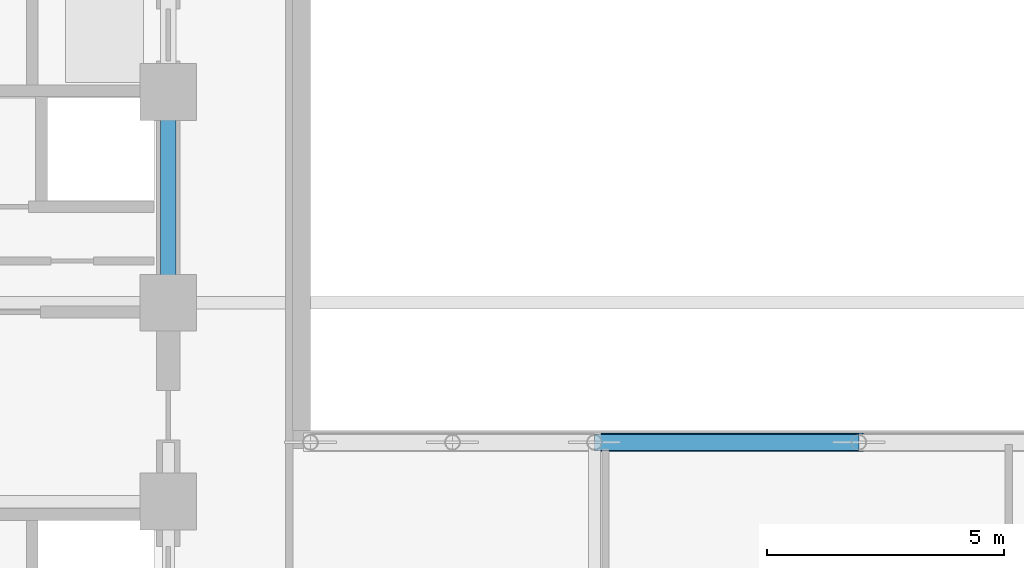
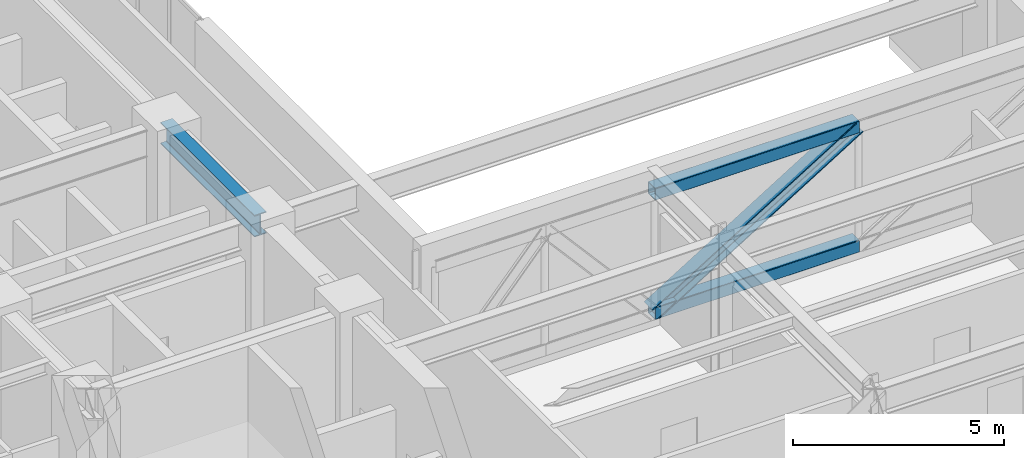
# One storey, part 4 of 18: 3 members, 1 beam.
"""IFC4 building model written with IfcOpenShell, lengths in metres."""

from ifc_helpers import new_model, entity, si_unit, converted_unit, direction, frame, origin_with_axes, origin_2d_with_axis, place, context, subcontext, project, spatial, hollow_rectangle, i_section, extrude, material, material_profile, profile_set, type_object, element, save


model = new_model("IFC4")

# Units and contexts
model_context = context("Model", 3, precision=1e-05, world=origin_with_axes(), true_north=direction((0.0, 1.0)))
body_context = subcontext(model_context, "Body", "Model", "MODEL_VIEW")
ifc_project = project(units=[si_unit("LENGTHUNIT", "METRE"), si_unit("AREAUNIT", "SQUARE_METRE"), si_unit("VOLUMEUNIT", "CUBIC_METRE"), converted_unit("PLANEANGLEUNIT", "DEGREE", entity("IfcPlaneAngleMeasure", 0.017453292519943295), si_unit("PLANEANGLEUNIT", "RADIAN"), dimensions=[0, 0, 0, 0, 0, 0, 0]), si_unit("MASSUNIT", "GRAM", prefix="KILO"), si_unit("THERMODYNAMICTEMPERATUREUNIT", "KELVIN")], contexts=[model_context])

# Site, building, storey
site_placement = place(None, origin_with_axes())
site = spatial("IfcSite", under=ifc_project, at=site_placement, CompositionType="ELEMENT")
building_placement = place(site_placement, origin_with_axes())
building = spatial("IfcBuilding", under=site, at=building_placement, Name="Varnlund Millrace Tower", CompositionType="ELEMENT")
storey_placement = place(building_placement, frame((0.0, 0.0, 124.2), z_axis=(0.0, 0.0, 1.0), x_axis=(1.0, 0.0, 0.0)))
storey = spatial("IfcBuildingStorey", under=building, at=storey_placement, Name="L30", CompositionType="ELEMENT", Elevation=124.2)

# Beam
ifc_material_1 = material(Name="Steel ASTM A992 Grade 50", Category="steel")
ifc_material_profile_1 = material_profile(ifc_material_1, i_section(OverallWidth=0.328, OverallDepth=0.628, WebThickness=0.0165, FlangeThickness=0.0277, FilletRadius=0.018, at=origin_2d_with_axis()), Name="Steel ASTM A992 Grade 50")
ifc_profile_set_1 = profile_set([ifc_material_profile_1], Name="Steel ASTM A992 Grade 50")
beam_type = type_object("IfcBeamType", Name="Type-Girder-W24X146", PredefinedType="USERDEFINED", material=ifc_profile_set_1)
beam_placement = place(storey_placement, frame((18.6, 24.3, 4.246), z_axis=(0.0, 1.0, 0.0), x_axis=(-1.0, 0.0, 0.0)))
element("IfcBeam", 1, at=beam_placement, inside=storey, type_object=beam_type, Name="Type-Girder-W24X146", ObjectType="GIRDER", PredefinedType="USERDEFINED", context=body_context, shape_type="SweptSolid", body=[
    extrude(i_section(OverallWidth=0.328, OverallDepth=0.628, WebThickness=0.0165, FlangeThickness=0.0277, FilletRadius=0.018, at=origin_2d_with_axis()), origin_with_axes(), (0.0, 0.0, 1.0), 4.45),
])

# Members
ifc_material_2 = material(Name="Steel ASTM A500 Grade C", Category="steel")
ifc_material_profile_2 = material_profile(ifc_material_2, hollow_rectangle(XDim=0.356, YDim=0.356, WallThickness=0.0147, InnerFilletRadius=0.015, OuterFilletRadius=0.03, at=origin_2d_with_axis()), Name="Steel ASTM A500 Grade C")
ifc_profile_set_2 = profile_set([ifc_material_profile_2], Name="Steel ASTM A500 Grade C")
member_type_1 = type_object("IfcMemberType", Name="Type-Portal-Chord-HSS14", PredefinedType="CHORD", material=ifc_profile_set_2)
for number, where, z_axis, x_axis, name in (
    (2, (27.6, 21.35, 0.4), (1.0, 0.0, 0.0), (0.0, 1.0, 0.0), "Type-Portal-Chord-HSS14"),
    (3, (27.6, 21.35, 3.85), (1.0, 0.0, 0.0), (0.0, 1.0, 0.0), "Type-Portal-Chord-HSS14"),
):
    element("IfcMember", number, at=place(storey_placement, frame(where, z_axis=z_axis, x_axis=x_axis)), inside=storey, type_object=member_type_1, Name=name, PredefinedType="CHORD", context=body_context, shape_type="SweptSolid", body=[
        extrude(hollow_rectangle(XDim=0.356, YDim=0.356, WallThickness=0.0147, InnerFilletRadius=0.015, OuterFilletRadius=0.03, at=origin_2d_with_axis()), origin_with_axes(), (0.0, 0.0, 1.0), 5.58),
    ])
ifc_material_profile_3 = material_profile(ifc_material_1, i_section(OverallWidth=0.394, OverallDepth=0.375, WebThickness=0.0173, FlangeThickness=0.0277, FilletRadius=0.02, at=origin_2d_with_axis()), Name="Steel ASTM A992 Grade 50")
ifc_profile_set_3 = profile_set([ifc_material_profile_3], Name="Steel ASTM A992 Grade 50")
member_type_2 = type_object("IfcMemberType", Name="Type-Portal-Diag-W14X145", PredefinedType="BRACE", material=ifc_profile_set_3)
member_placement = place(storey_placement, frame((27.6, 21.35, 0.4), z_axis=(0.850557, 0.0, 0.525882), x_axis=(0.0, 1.0, 0.0)))
element("IfcMember", 4, at=member_placement, inside=storey, type_object=member_type_2, Name="Type-Portal-Diag-W14X145", PredefinedType="BRACE", context=body_context, shape_type="SweptSolid", body=[
    extrude(i_section(OverallWidth=0.394, OverallDepth=0.375, WebThickness=0.0173, FlangeThickness=0.0277, FilletRadius=0.02, at=origin_2d_with_axis()), origin_with_axes(), (0.0, 0.0, 1.0), 6.560404),
])

save(model, "model.ifc")
